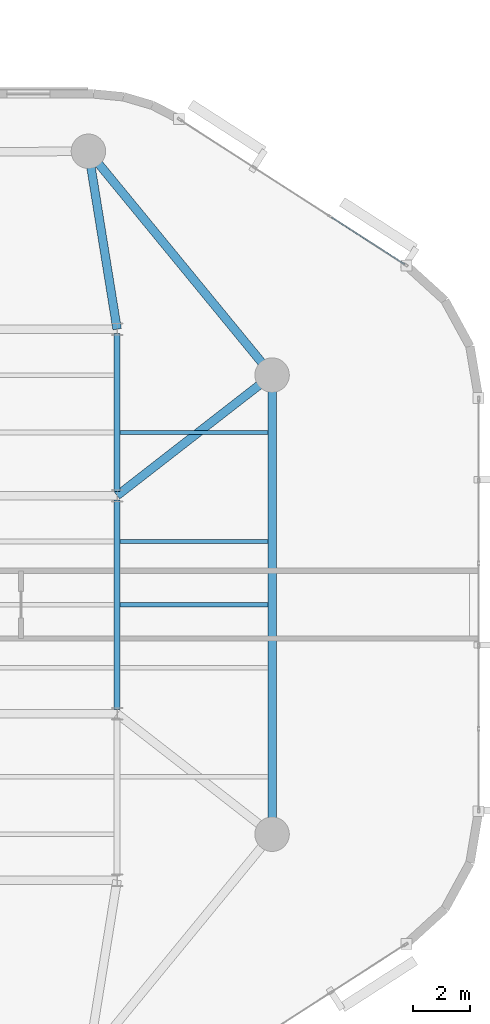
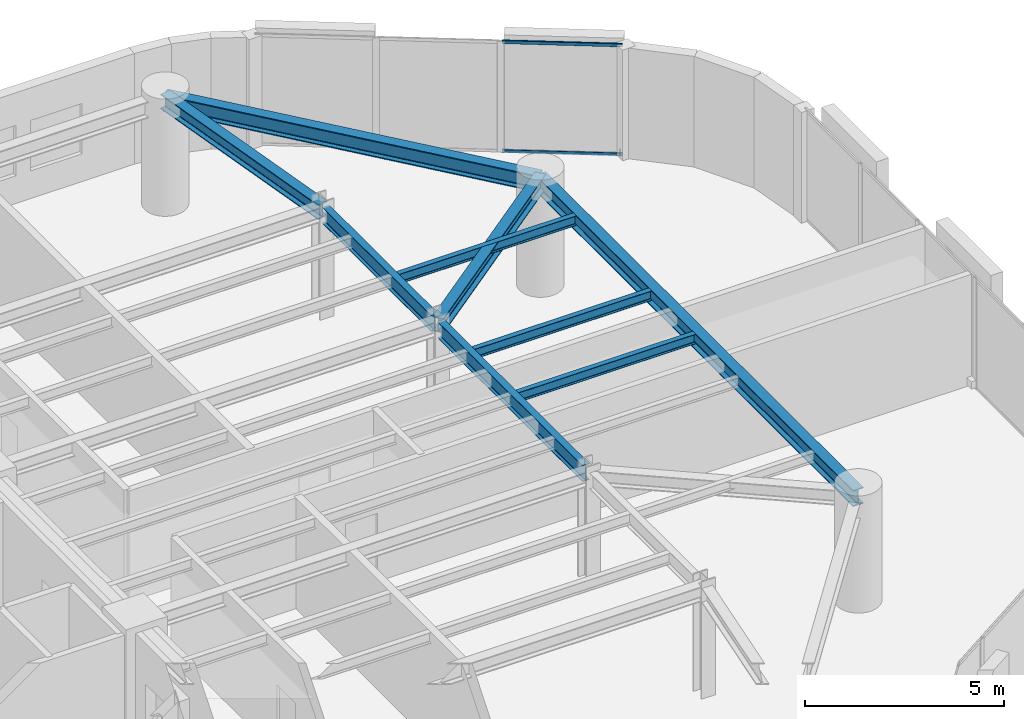
# One storey, part 4 of 15: 9 beams, 2 members, 1 element without a shape of its own.
"""IFC4 building model written with IfcOpenShell, lengths in metres."""

from ifc_helpers import new_model, si_unit, direction, frame, origin, origin_2d, place, context, subcontext, project, spatial, hollow_rectangle, i_section, extrude, material, layer, layer_set, material_profile, profile_set, type_object, element, aggregate, save


model = new_model("IFC4")

# Units and contexts
model_context = context("Model", 3, precision=1e-05, world=origin(), true_north=direction((0.0, 1.0)))
body_context = subcontext(model_context, "Body", "Model", "MODEL_VIEW")
ifc_project = project(units=[si_unit("LENGTHUNIT", "METRE"), si_unit("AREAUNIT", "SQUARE_METRE"), si_unit("VOLUMEUNIT", "CUBIC_METRE"), si_unit("PLANEANGLEUNIT", "RADIAN"), si_unit("MASSUNIT", "GRAM", prefix="KILO")], contexts=[model_context])

# Site, building, storey
site_placement = place(None, origin())
site = spatial("IfcSite", under=ifc_project, at=site_placement, CompositionType="ELEMENT")
building_placement = place(site_placement, origin())
building = spatial("IfcBuilding", under=site, at=building_placement, Name="An Khanh Terracotta Commons", CompositionType="ELEMENT")
storey_placement = place(building_placement, frame((0.0, 0.0, 179.800048828125)))
storey = spatial("IfcBuildingStorey", under=building, at=storey_placement, Name="L47", CompositionType="ELEMENT", Elevation=179.800048828125)

# Beams
ifc_material_1 = material(Name="Steel S355J2", Category="steel")
ifc_material_profile_1 = material_profile(ifc_material_1, i_section(OverallWidth=0.300048828125, OverallDepth=0.449951171875, WebThickness=0.013916015625, FlangeThickness=0.02587890625, FilletRadius=0.027099609375, at=origin_2d()), Name="HEB450")
ifc_profile_set_1 = profile_set([ifc_material_profile_1], Name="Steel S355J2")
beam_type_1 = type_object("IfcBeamType", Name="BM-HEB450", PredefinedType="BEAM", material=ifc_profile_set_1)
beam_1_placement = place(storey_placement, frame((55.800048828125, 32.0, 3.175048828125), z_axis=(-0.789363746927, -0.61392578952, 0.0), x_axis=(0.61392578952, -0.789363746927, 0.0)))
element("IfcBeam", 1, at=beam_1_placement, inside=storey, type_object=beam_type_1, Name="L47 Mega-Column Tie Girder 4", PredefinedType="BEAM", context=body_context, shape_type="SweptSolid", body=[
    extrude(i_section(OverallWidth=0.300048828125, OverallDepth=0.449951171875, WebThickness=0.013916015625, FlangeThickness=0.02587890625, FilletRadius=0.027099609375, at=origin_2d()), origin(), (0.0, 0.0, 1.0), 6.841064453125),
])
beam_2_placement = place(storey_placement, frame((49.39990234375, 39.800048828125, 3.175048828125), z_axis=(0.159233661074, -0.987240923575, 0.0), x_axis=(0.987240923575, 0.159233661074, 0.0)))
element("IfcBeam", 2, at=beam_2_placement, inside=storey, type_object=beam_type_1, Name="L47 Mega-Column Tie Girder 5", PredefinedType="BEAM", context=body_context, shape_type="SweptSolid", body=[
    extrude(i_section(OverallWidth=0.300048828125, OverallDepth=0.449951171875, WebThickness=0.013916015625, FlangeThickness=0.02587890625, FilletRadius=0.027099609375, at=origin_2d()), origin(), (0.0, 0.0, 1.0), 6.280029296875),
])
ifc_material_profile_2 = material_profile(ifc_material_1, i_section(OverallWidth=0.300048828125, OverallDepth=0.5, WebThickness=0.014404296875, FlangeThickness=0.028076171875, FilletRadius=0.027099609375, at=origin_2d()), Name="HEB500")
ifc_profile_set_2 = profile_set([ifc_material_profile_2], Name="Steel S355J2")
beam_type_2 = type_object("IfcBeamType", Name="BM-HEB500", PredefinedType="BEAM", material=ifc_profile_set_2)
beam_3_placement = place(storey_placement, frame((55.800048828125, 16.0, 3.14990234375), z_axis=(0.0, 1.0, 0.0), x_axis=(-1.0, 0.0, 0.0)))
element("IfcBeam", 3, at=beam_3_placement, inside=storey, type_object=beam_type_2, Name="L47 Perimeter Ring Spandrel 3", PredefinedType="BEAM", context=body_context, shape_type="SweptSolid", body=[
    extrude(i_section(OverallWidth=0.300048828125, OverallDepth=0.5, WebThickness=0.014404296875, FlangeThickness=0.028076171875, FilletRadius=0.027099609375, at=origin_2d()), origin(), (0.0, 0.0, 1.0), 16.0),
])
beam_4_placement = place(storey_placement, frame((55.800048828125, 32.0, 3.14990234375), z_axis=(-0.634322915223, 0.7730681983, 0.0), x_axis=(-0.7730681983, -0.634322915223, 0.0)))
element("IfcBeam", 4, at=beam_4_placement, inside=storey, type_object=beam_type_2, Name="L47 Perimeter Ring Spandrel 4", PredefinedType="BEAM", context=body_context, shape_type="SweptSolid", body=[
    extrude(i_section(OverallWidth=0.300048828125, OverallDepth=0.5, WebThickness=0.014404296875, FlangeThickness=0.028076171875, FilletRadius=0.027099609375, at=origin_2d()), origin(), (0.0, 0.0, 1.0), 10.08984375),
])
ifc_material_profile_3 = material_profile(ifc_material_1, i_section(OverallWidth=0.14990234375, OverallDepth=0.300048828125, WebThickness=0.007080078125, FlangeThickness=0.0107421875, FilletRadius=0.014892578125, at=origin_2d()), Name="IPE300")
ifc_profile_set_3 = profile_set([ifc_material_profile_3], Name="Steel S355J2")
beam_type_3 = type_object("IfcBeamType", Name="BM-IPE300", PredefinedType="JOIST", material=ifc_profile_set_3)
for number, where, z_axis, x_axis, name in (
    (5, (50.5, 24.0, 3.25), (1.0, 0.0, 0.0), (0.0, 1.0, 0.0), "L47 Riverfront Composite Joist 4"),
    (6, (50.5, 26.199951171875, 3.25), (1.0, 0.0, 0.0), (0.0, 1.0, 0.0), "L47 Riverfront Composite Joist 5"),
    (7, (50.5, 30.0, 3.25), (1.0, 0.0, 0.0), (0.0, 1.0, 0.0), "L47 Riverfront Composite Joist 6"),
):
    element("IfcBeam", number, at=place(storey_placement, frame(where, z_axis=z_axis, x_axis=x_axis)), inside=storey, type_object=beam_type_3, Name=name, PredefinedType="JOIST", context=body_context, shape_type="SweptSolid", body=[
        extrude(i_section(OverallWidth=0.14990234375, OverallDepth=0.300048828125, WebThickness=0.007080078125, FlangeThickness=0.0107421875, FilletRadius=0.014892578125, at=origin_2d()), origin(), (0.0, 0.0, 1.0), 5.14990234375),
    ])
ifc_material_profile_4 = material_profile(ifc_material_1, i_section(OverallWidth=0.199951171875, OverallDepth=0.5, WebThickness=0.01025390625, FlangeThickness=0.01611328125, FilletRadius=0.02099609375, at=origin_2d()), Name="IPE500")
ifc_profile_set_4 = profile_set([ifc_material_profile_4], Name="Steel S355J2")
beam_type_4 = type_object("IfcBeamType", Name="BM-IPE500", PredefinedType="BEAM", material=ifc_profile_set_4)
beam_5_placement = place(storey_placement, frame((50.39990234375, 20.35009765625, 3.14990234375), z_axis=(0.0, 1.0, 0.0), x_axis=(-1.0, 0.0, 0.0)))
element("IfcBeam", 8, at=beam_5_placement, inside=storey, type_object=beam_type_4, Name="L47 East Spine Girder 2", PredefinedType="BEAM", context=body_context, shape_type="SweptSolid", body=[
    extrude(i_section(OverallWidth=0.199951171875, OverallDepth=0.5, WebThickness=0.01025390625, FlangeThickness=0.01611328125, FilletRadius=0.02099609375, at=origin_2d()), origin(), (0.0, 0.0, 1.0), 7.2998046875),
])
beam_6_placement = place(storey_placement, frame((50.39990234375, 27.949951171875, 3.14990234375), z_axis=(0.0, 1.0, 0.0), x_axis=(-1.0, 0.0, 0.0)))
element("IfcBeam", 9, at=beam_6_placement, inside=storey, type_object=beam_type_4, Name="L47 East Spine Girder 3", PredefinedType="BEAM", context=body_context, shape_type="SweptSolid", body=[
    extrude(i_section(OverallWidth=0.199951171875, OverallDepth=0.5, WebThickness=0.01025390625, FlangeThickness=0.01611328125, FilletRadius=0.02099609375, at=origin_2d()), origin(), (0.0, 0.0, 1.0), 5.5),
])

# Curtain wall, members
ifc_material_2 = material(Name="Anodised Aluminium 6063-T6", Category="aluminium")
ifc_layer = layer(ifc_material_2, 0.2099609375, Name="Anodised Aluminium 6063-T6")
ifc_layer_set = layer_set([ifc_layer], Name="Anodised Aluminium 6063-T6")
curtain_wall_type = type_object("IfcCurtainWallType", Name="CW-SYS-03", PredefinedType="USERDEFINED", material=ifc_layer_set)
curtain_wall_placement = place(storey_placement, origin())
curtain_wall = element("IfcCurtainWall", 10, at=curtain_wall_placement, inside=storey, type_object=curtain_wall_type, Name="L47 CW-03 Unitised Curtain Wall CW-L47-16", ObjectType="UNITISED CURTAIN WALL", PredefinedType="USERDEFINED")
ifc_material_profile_5 = material_profile(ifc_material_2, hollow_rectangle(XDim=0.050048828125, YDim=0.10009765625, WallThickness=0.003173828125, InnerFilletRadius=0.003173828125, OuterFilletRadius=0.00634765625, at=origin_2d()), Name="RHS100x50x3.2")
ifc_profile_set_5 = profile_set([ifc_material_profile_5], Name="Anodised Aluminium 6063-T6")
member_type = type_object("IfcMemberType", Name="CWT-RHS100x50x3.2", PredefinedType="USERDEFINED", material=ifc_profile_set_5)
member_1_placement = place(storey_placement, frame((60.419189453125, 35.86181640625, 0.02490234375), z_axis=(-0.840673595852, 0.541542154626, 0.0), x_axis=(-0.541542154626, -0.840673595852, 0.0)))
member_1 = element("IfcMember", 11, at=member_1_placement, type_object=member_type, Name="CW-03 transom 1.1", ObjectType="TRANSOM", PredefinedType="USERDEFINED", context=body_context, shape_type="SweptSolid", body=[
    extrude(hollow_rectangle(XDim=0.050048828125, YDim=0.10009765625, WallThickness=0.003173828125, InnerFilletRadius=0.003173828125, OuterFilletRadius=0.00634765625, at=origin_2d()), origin(), (0.0, 0.0, 1.0), 3.034423828125),
])
member_2_placement = place(storey_placement, frame((60.419189453125, 35.86181640625, 3.375), z_axis=(-0.840673595852, 0.541542154626, 0.0), x_axis=(-0.541542154626, -0.840673595852, 0.0)))
member_2 = element("IfcMember", 12, at=member_2_placement, type_object=member_type, Name="CW-03 transom 1.2", ObjectType="TRANSOM", PredefinedType="USERDEFINED", context=body_context, shape_type="SweptSolid", body=[
    extrude(hollow_rectangle(XDim=0.050048828125, YDim=0.10009765625, WallThickness=0.003173828125, InnerFilletRadius=0.003173828125, OuterFilletRadius=0.00634765625, at=origin_2d()), origin(), (0.0, 0.0, 1.0), 3.034423828125),
])
aggregate(curtain_wall, [member_1, member_2])

save(model, "model.ifc")
